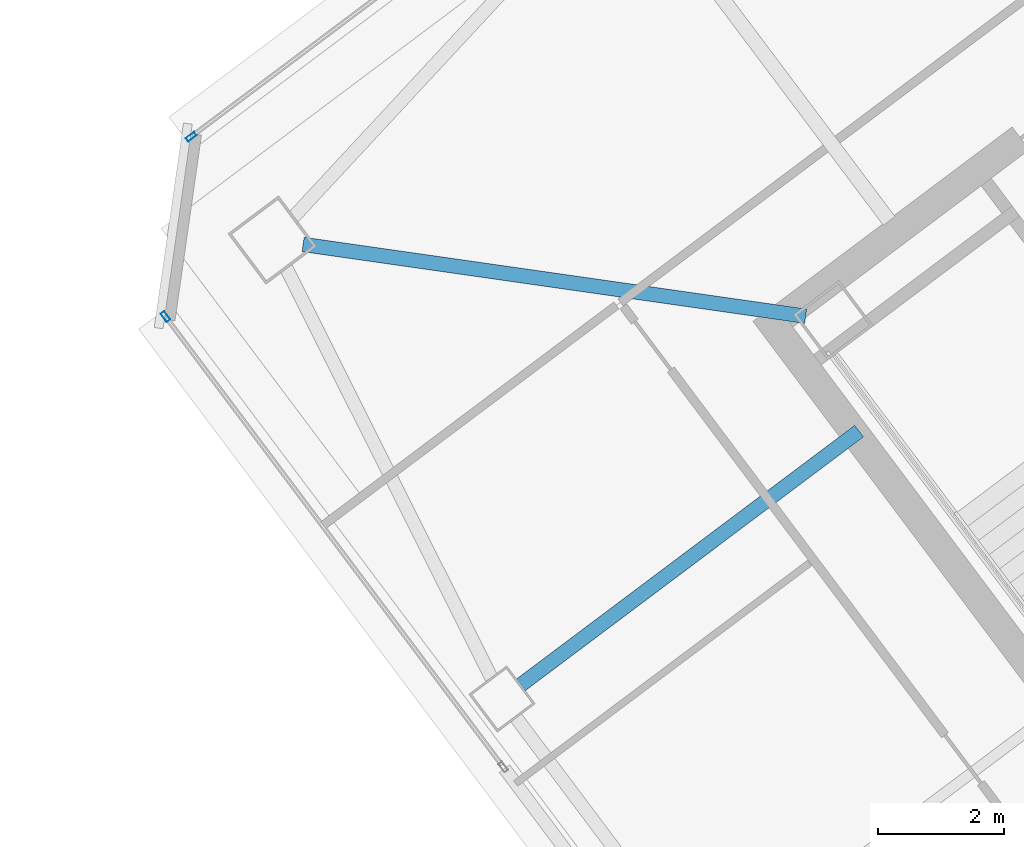
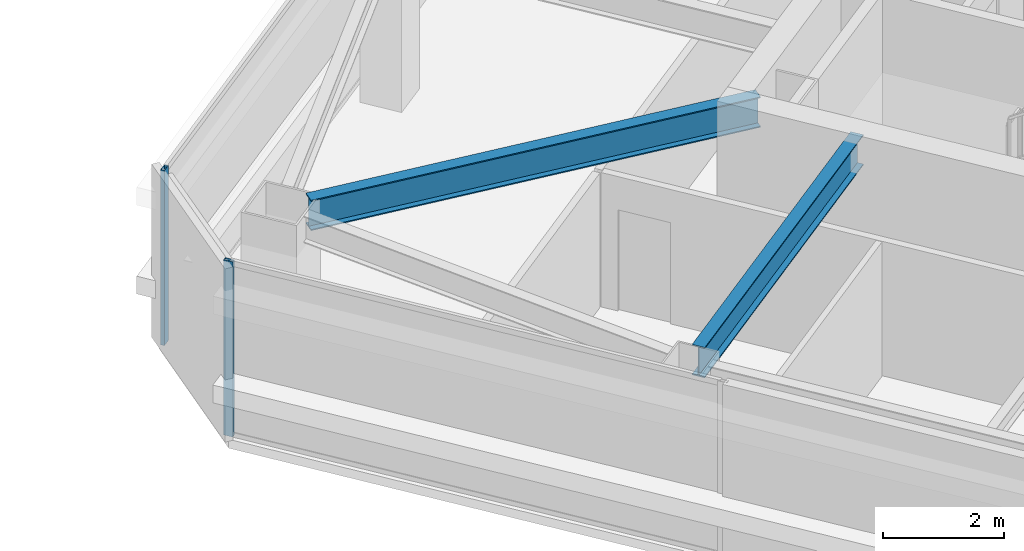
# One storey, part 20 of 39: 2 beams, 2 members, 2 elements without a shape of their own.
"""IFC4 building model written with IfcOpenShell, lengths in metres."""

import ifcopenshell
import ifcopenshell.guid

model = None  # the IFC model being written
_history = None  # IfcOwnerHistory: only IFC2X3 demands one
_inside = {}  # id of a spatial element -> (the spatial element, [elements in it])
_under = {}  # id of a project, library or spatial element -> (it, [spatial elements below it])
_declared = {}  # id of a project -> (the project, [libraries it declares])
_typed = {}  # id of a type object -> (the type object, [elements of that type])
_made_of = {}  # id of a material, layer set ... -> (it, [elements and type objects made of it])


def new_model(schema):
    """Start an empty IFC model of exactly this schema.

    Asked for "IFC4X3", IfcOpenShell would pick the latest addendum, in which some entities
    have other attributes; the version numbers below select the first issue.
    IFC2X3 requires an IfcOwnerHistory on every rooted entity: one is made here for all.
    """
    global model, _history
    if schema == "IFC4X3":
        model = ifcopenshell.file(schema_version=(4, 3, 0, 0))
    else:
        model = ifcopenshell.file(schema=schema)
    _inside.clear()
    _under.clear()
    _declared.clear()
    _typed.clear()
    _made_of.clear()
    _history = None
    if model.schema == "IFC2X3":
        org = make("IfcOrganization", Name="unknown")
        user = make(
            "IfcPersonAndOrganization",
            ThePerson=make("IfcPerson", FamilyName="unknown"),
            TheOrganization=org,
        )
        app = make(
            "IfcApplication",
            ApplicationDeveloper=org,
            Version="unknown",
            ApplicationFullName="unknown",
            ApplicationIdentifier="unknown",
        )
        _history = make(
            "IfcOwnerHistory",
            OwningUser=user,
            OwningApplication=app,
            ChangeAction="ADDED",
            CreationDate=0,
        )
    return model


def make(cls, **values):
    """One entity of the class cls with the attributes given. An attribute that is None is left unset."""
    return model.create_entity(
        cls, **{name: value for name, value in values.items() if value is not None}
    )


def rooted(cls, **values):
    """An entity with a GlobalId (a new one), such as an element, a storey or a relation."""
    return make(cls, GlobalId=ifcopenshell.guid.new(), OwnerHistory=_history, **values)


def si_unit(unit_type, name, prefix=None):
    """IfcSIUnit, for example si_unit("LENGTHUNIT", "METRE", prefix="MILLI")."""
    return make("IfcSIUnit", UnitType=unit_type, Prefix=prefix, Name=name)


def assignment(units):
    """IfcUnitAssignment: the units of a project."""
    return None if units is None else make("IfcUnitAssignment", Units=units)


def point(xyz):
    """IfcCartesianPoint."""
    return None if xyz is None else make("IfcCartesianPoint", Coordinates=xyz)


def direction(xyz):
    """IfcDirection."""
    return None if xyz is None else make("IfcDirection", DirectionRatios=xyz)


def frame(location, z_axis=None, x_axis=None):
    """IfcAxis2Placement3D, a coordinate frame: its origin and axes. An axis left out is left unset."""
    return make(
        "IfcAxis2Placement3D",
        Location=point(location),
        Axis=direction(z_axis),
        RefDirection=direction(x_axis),
    )


def frame_2d(location, x_axis=None):
    """IfcAxis2Placement2D, a coordinate frame in the plane: its origin and x axis."""
    return make(
        "IfcAxis2Placement2D", Location=point(location), RefDirection=direction(x_axis)
    )


def origin():
    """The frame at (0, 0, 0) with its axes left unset."""
    return frame((0.0, 0.0, 0.0))


def origin_2d():
    """The frame at (0, 0) in the plane with its x axis left unset."""
    return frame_2d((0.0, 0.0))


def place(relative_to, where):
    """IfcLocalPlacement: puts the frame where relative to a parent placement (None: the world)."""
    return make(
        "IfcLocalPlacement", PlacementRelTo=relative_to, RelativePlacement=where
    )


def context(
    kind, dimensions, precision=None, world=None, true_north=None, identifier=None
):
    """IfcGeometricRepresentationContext, for example the 3D "Model" context."""
    return make(
        "IfcGeometricRepresentationContext",
        ContextIdentifier=identifier,
        ContextType=kind,
        CoordinateSpaceDimension=dimensions,
        Precision=precision,
        WorldCoordinateSystem=world,
        TrueNorth=true_north,
    )


def subcontext(parent, identifier, kind, view, scale=None):
    """IfcGeometricRepresentationSubContext, for example "Body" below "Model"."""
    return make(
        "IfcGeometricRepresentationSubContext",
        ContextIdentifier=identifier,
        ContextType=kind,
        ParentContext=parent,
        TargetScale=scale,
        TargetView=view,
    )


def project(units=None, contexts=None):
    """IfcProject with its units and contexts."""
    return rooted(
        "IfcProject",
        Name="project",
        RepresentationContexts=contexts,
        UnitsInContext=assignment(units),
    )


def spatial(cls, under=None, at=None, **own):
    """A site, building, storey or space (cls), placed at a placement, below another one or the project."""
    s = rooted(cls, ObjectPlacement=at, **own)
    if under is not None:
        _under.setdefault(under.id(), (under, []))[1].append(s)
    return s


def profile(cls, at=None, kind="AREA", **sizes):
    """A parametric profile (cls). Its sizes go by their IFC names, for example OverallWidth=200.0."""
    return make(cls, ProfileType=kind, Position=at, **sizes)


def hollow_rectangle(**sizes):
    """IfcRectangleHollowProfileDef."""
    return profile("IfcRectangleHollowProfileDef", **sizes)


def i_section(**sizes):
    """IfcIShapeProfileDef."""
    return profile("IfcIShapeProfileDef", **sizes)


def extrude(swept, where, along, depth):
    """IfcExtrudedAreaSolid: the profile swept, set in the frame where, extruded along a direction by depth."""
    return make(
        "IfcExtrudedAreaSolid",
        SweptArea=swept,
        Position=where,
        ExtrudedDirection=direction(along),
        Depth=depth,
    )


def shape(context_of_items, identifier, shape_type, items):
    """IfcShapeRepresentation: the items that make up one representation, for example the "Body"."""
    return make(
        "IfcShapeRepresentation",
        ContextOfItems=context_of_items,
        RepresentationIdentifier=identifier,
        RepresentationType=shape_type,
        Items=items,
    )


def material(Name=None, Category=None):
    """IfcMaterial."""
    return make("IfcMaterial", Name=Name, Category=Category)


def material_profile(
    of_material, cross_section, Name=None, Category=None, Priority=None
):
    """IfcMaterialProfile: a cross section and its material."""
    return make(
        "IfcMaterialProfile",
        Name=Name,
        Material=of_material,
        Profile=cross_section,
        Priority=Priority,
        Category=Category,
    )


def profile_set(profiles, Name=None, composite=None):
    """IfcMaterialProfileSet."""
    return make(
        "IfcMaterialProfileSet",
        Name=Name,
        MaterialProfiles=profiles,
        CompositeProfile=composite,
    )


def made_of(thing, what):
    """Note that an element or type object is made of a material, layer set ...; save() writes the relation."""
    if what is not None:
        _made_of.setdefault(what.id(), (what, []))[1].append(thing)
    return thing


def type_object(cls, material=None, **own):
    """A type object (cls), such as IfcWallType, which elements share."""
    return made_of(rooted(cls, **own), material)


def element(
    cls,
    number,
    at=None,
    inside=None,
    cuts=None,
    type_object=None,
    material=None,
    context=None,
    identifier="Body",
    shape_type=None,
    held_by="IfcProductDefinitionShape",
    body=None,
    shapes=None,
    **own,
):
    """One element of the class cls, such as IfcWall. Its Tag is "e" and its number.

    at: its placement. inside: the storey or other place that contains it. cuts: it is an
    opening in that element (IfcRelVoidsElement). A single representation is given by context,
    identifier, shape_type and body (its items); several are given by shapes. held_by: the class
    of the entity that holds the representations. save() writes the other relations.
    """
    e = rooted(cls, Tag="e%d" % number, ObjectPlacement=at, **own)
    if body is not None:
        shapes = [shape(context, identifier, shape_type, body)]
    if shapes is not None:
        e.Representation = make(held_by, Representations=shapes)
    if inside is not None:
        _inside.setdefault(inside.id(), (inside, []))[1].append(e)
    if cuts is not None:
        rooted(
            "IfcRelVoidsElement", RelatingBuildingElement=cuts, RelatedOpeningElement=e
        )
    if type_object is not None:
        _typed.setdefault(type_object.id(), (type_object, []))[1].append(e)
    return made_of(e, material)


def aggregate(whole, parts):
    """IfcRelAggregates: a whole, such as a stair, and the parts it consists of."""
    return rooted("IfcRelAggregates", RelatingObject=whole, RelatedObjects=parts)


def save(model, path):
    """Write the relations noted so far, then the file.

    IfcRelAggregates (storeys below a building ...), IfcRelContainedInSpatialStructure (elements
    in a storey), IfcRelDefinesByType, IfcRelAssociatesMaterial and IfcRelDeclares: one each for
    every whole, place, type object, material and project.
    """
    for whole, parts in _under.values():
        aggregate(whole, parts)
    for where, things in _inside.values():
        rooted(
            "IfcRelContainedInSpatialStructure",
            RelatedElements=things,
            RelatingStructure=where,
        )
    for kind, things in _typed.values():
        rooted("IfcRelDefinesByType", RelatedObjects=things, RelatingType=kind)
    for what, things in _made_of.values():
        rooted("IfcRelAssociatesMaterial", RelatedObjects=things, RelatingMaterial=what)
    for by, libraries in _declared.values():
        rooted("IfcRelDeclares", RelatingContext=by, RelatedDefinitions=libraries)
    model.write(path)


model = new_model("IFC4")

# Units and contexts
model_context = context("Model", 3, precision=1e-05, world=origin(), true_north=direction((0.0, 1.0)))
body_context = subcontext(model_context, "Body", "Model", "MODEL_VIEW")
ifc_project = project(units=[si_unit("LENGTHUNIT", "METRE"), si_unit("AREAUNIT", "SQUARE_METRE"), si_unit("VOLUMEUNIT", "CUBIC_METRE"), si_unit("PLANEANGLEUNIT", "RADIAN"), si_unit("MASSUNIT", "GRAM", prefix="KILO")], contexts=[model_context])

# Site, building, storey
site_placement = place(None, origin())
site = spatial("IfcSite", under=ifc_project, at=site_placement, CompositionType="ELEMENT")
building_placement = place(site_placement, origin())
building = spatial("IfcBuilding", under=site, at=building_placement, Name="Tashvorn Skyway Center", CompositionType="ELEMENT")
storey_placement = place(building_placement, frame((0.0, 0.0, 207.75)))
storey = spatial("IfcBuildingStorey", under=building, at=storey_placement, Name="L56", CompositionType="ELEMENT", Elevation=207.75)

# Beams
ifc_material_1 = material(Name="Steel ASTM A992 Grade 50", Category="steel")
ifc_material_profile_1 = material_profile(ifc_material_1, i_section(OverallWidth=0.22998046875, OverallDepth=0.616943359375, WebThickness=0.01318359375, FlangeThickness=0.022216796875, at=origin_2d()), Name="W24X94")
ifc_profile_set_1 = profile_set([ifc_material_profile_1], Name="Steel ASTM A992 Grade 50")
beam_type = type_object("IfcBeamType", Name="BM-BEAM-W24X94", PredefinedType="BEAM", material=ifc_profile_set_1)
beam_1_placement = place(storey_placement, frame((95.72998046875, 34.610107421875, 3.0615234375), z_axis=(0.989947064346, -0.141438360399, 0.0), x_axis=(0.141438360399, 0.989947064346, 0.0)))
element("IfcBeam", 1, at=beam_1_placement, inside=storey, type_object=beam_type, Name="Tower 2 L56 Primary Floor Girder MC-NW", PredefinedType="BEAM", context=body_context, shape_type="SweptSolid", body=[
    extrude(i_section(OverallWidth=0.22998046875, OverallDepth=0.616943359375, WebThickness=0.01318359375, FlangeThickness=0.022216796875, at=origin_2d()), origin(), (0.0, 0.0, 1.0), 8.040283203125),
])
beam_2_placement = place(storey_placement, frame((99.176025390625, 27.632080078125, 3.0615234375), z_axis=(0.799991254452, 0.600011660554, 0.0), x_axis=(-0.600011660554, 0.799991254452, 0.0)))
element("IfcBeam", 2, at=beam_2_placement, inside=storey, type_object=beam_type, Name="Tower 2 L56 Primary Floor Girder FC-W1", PredefinedType="BEAM", context=body_context, shape_type="SweptSolid", body=[
    extrude(i_section(OverallWidth=0.22998046875, OverallDepth=0.616943359375, WebThickness=0.01318359375, FlangeThickness=0.022216796875, at=origin_2d()), origin(), (0.0, 0.0, 1.0), 6.699951171875),
])

# Curtain wall, member
ifc_material_2 = material(Name="Thermally broken bronze-anodized aluminium 6063-T6", Category="aluminium")
curtain_wall_type = type_object("IfcCurtainWallType", Name="CW-CW-Z5", PredefinedType="NOTDEFINED", material=ifc_material_2)
curtain_wall_1_placement = place(storey_placement, origin())
curtain_wall_1 = element("IfcCurtainWall", 3, at=curtain_wall_1_placement, inside=storey, type_object=curtain_wall_type, Name="Tower 2 L56 West Unitised Curtain Wall Glazing Group 2", PredefinedType="NOTDEFINED")
ifc_material_profile_2 = material_profile(ifc_material_2, hollow_rectangle(XDim=0.070068359375, YDim=0.1650390625, WallThickness=0.00390625, at=origin_2d()), Name="ALU-MULL-70x165")
ifc_profile_set_2 = profile_set([ifc_material_profile_2], Name="Thermally broken bronze-anodized aluminium 6063-T6")
member_type = type_object("IfcMemberType", Name="CWM-CW-Z5", PredefinedType="MULLION", material=ifc_profile_set_2)
member_1_placement = place(storey_placement, frame((93.549072265625, 33.468017578125, 0.0), z_axis=(0.0, 0.0, 1.0), x_axis=(-0.799998664683, -0.600001780418, 0.0)))
member_1 = element("IfcMember", 4, at=member_1_placement, type_object=member_type, Name="CW-Z5 mullion 2", PredefinedType="MULLION", context=body_context, shape_type="SweptSolid", body=[
    extrude(hollow_rectangle(XDim=0.070068359375, YDim=0.1650390625, WallThickness=0.00390625, at=origin_2d()), origin(), (0.0, 0.0, 1.0), 3.550048828125),
])
aggregate(curtain_wall_1, [member_1])

curtain_wall_2_placement = place(storey_placement, origin())
curtain_wall_2 = element("IfcCurtainWall", 5, at=curtain_wall_2_placement, inside=storey, type_object=curtain_wall_type, Name="Tower 2 L56 North Unitised Curtain Wall Glazing Group 1", PredefinedType="NOTDEFINED")
member_2_placement = place(storey_placement, frame((93.9560546875, 36.31689453125, 0.0), z_axis=(0.0, 0.0, 1.0), x_axis=(-0.600001780418, 0.799998664683, 0.0)))
member_2 = element("IfcMember", 6, at=member_2_placement, type_object=member_type, Name="CW-Z5 mullion 1", PredefinedType="MULLION", context=body_context, shape_type="SweptSolid", body=[
    extrude(hollow_rectangle(XDim=0.070068359375, YDim=0.1650390625, WallThickness=0.00390625, at=origin_2d()), origin(), (0.0, 0.0, 1.0), 3.550048828125),
])
aggregate(curtain_wall_2, [member_2])

save(model, "model.ifc")
